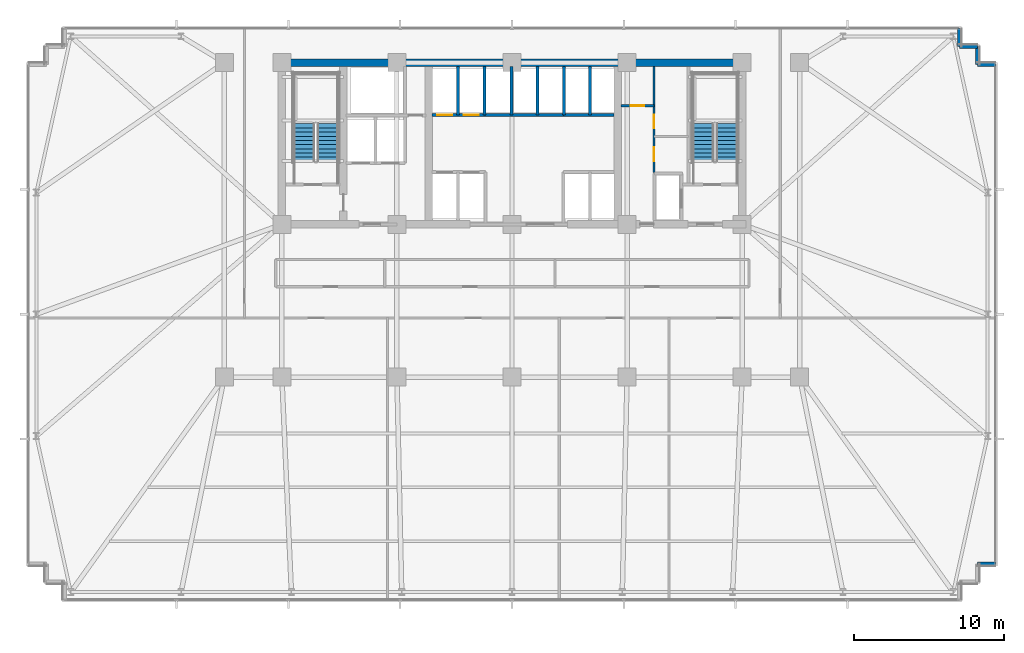
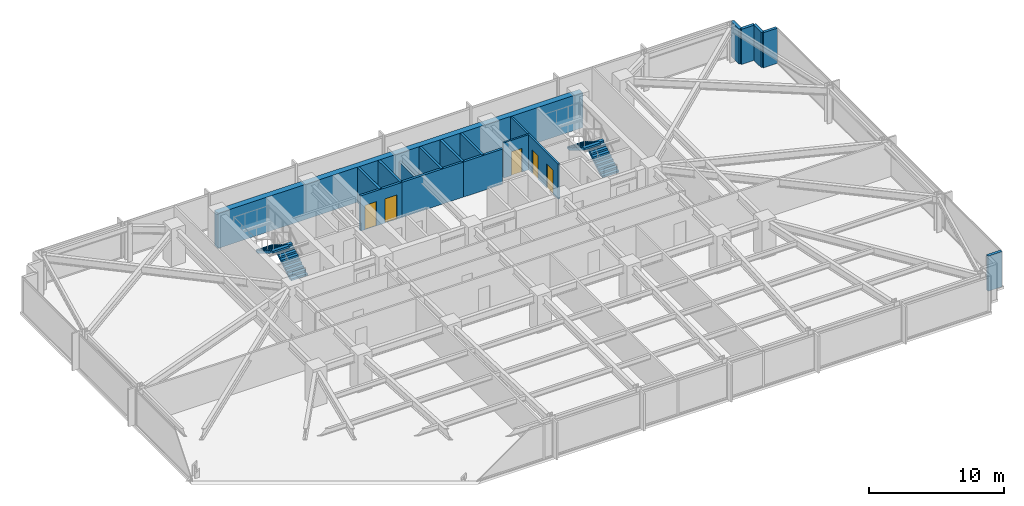
# One storey, part 26 of 32: 17 walls, 5 doors, 4 stair flights, 5 openings, 2 elements without a shape of their own.
"""IFC4 building model written with IfcOpenShell, lengths in metres."""

from ifc_helpers import new_model, si_unit, direction, frame, frame_2d, origin, place, context, subcontext, project, spatial, polyline, rectangle, outline, extrude, material, layer, layer_set, type_object, element, fill, aggregate, save


model = new_model("IFC4")

# Units and contexts
model_context = context("Model", 3, precision=1e-05, world=origin(), true_north=direction((0.0, 1.0)))
body_context = subcontext(model_context, "Body", "Model", "MODEL_VIEW")
ifc_project = project(units=[si_unit("LENGTHUNIT", "METRE"), si_unit("AREAUNIT", "SQUARE_METRE"), si_unit("VOLUMEUNIT", "CUBIC_METRE"), si_unit("PLANEANGLEUNIT", "RADIAN"), si_unit("MASSUNIT", "GRAM", prefix="KILO")], contexts=[model_context])

# Site, building, storey
site_placement = place(None, origin())
site = spatial("IfcSite", under=ifc_project, at=site_placement, CompositionType="ELEMENT")
building_placement = place(site_placement, origin())
building = spatial("IfcBuilding", under=site, at=building_placement, Name="Yelkora Congress Tower", CompositionType="ELEMENT")
storey_placement = place(building_placement, frame((0.0, 0.0, 67.800048828125)))
storey = spatial("IfcBuildingStorey", under=building, at=storey_placement, Name="L17", CompositionType="ELEMENT", Elevation=67.800048828125)

# Walls
ifc_material_1 = material(Name="Concrete C60/75", Category="concrete")
ifc_layer_1 = layer(ifc_material_1, 0.5)
ifc_layer_set_1 = layer_set([ifc_layer_1], Name="Concrete C60/75")
wall_type_1 = type_object("IfcWallType", Name="WALL-CORE-INT-500", PredefinedType="SHEAR", material=ifc_layer_set_1)
wall_1_placement = place(storey_placement, frame((22.7900390625, 46.199951171875, 0.0), z_axis=(0.0, 0.0, 1.0), x_axis=(1.0, 0.0, 0.0)))
element("IfcWall", 1, at=wall_1_placement, inside=storey, type_object=wall_type_1, Name="L17 Rear Core North Shear Wall", PredefinedType="SHEAR", context=body_context, shape_type="SweptSolid", body=[
    extrude(rectangle(XDim=31.219970703125, YDim=0.5, at=frame_2d((15.60986328125, 0.0))), origin(), (0.0, 0.0, 1.0), 3.179931640625),
])
ifc_material_2 = material(Name="Concrete C40/50", Category="concrete")
ifc_layer_2 = layer(ifc_material_2, 0.239990234375)
ifc_layer_set_2 = layer_set([ifc_layer_2], Name="Concrete C40/50")
wall_type_2 = type_object("IfcWallType", Name="WALL-EXT-LIMESTONE-240", PredefinedType="SOLIDWALL", material=ifc_layer_set_2)
for number, where, z_axis, x_axis, name in (
    (2, (68.260009765625, 48.4599609375, 0.0), (0.0, 0.0, 1.0), (0.0, -1.0, 0.0), "L17 Serrated Corner Limestone Pier 11"),
    (3, (68.260009765625, 47.260009765625, 0.0), (0.0, 0.0, 1.0), (1.0, 0.0, 0.0), "L17 Serrated Corner Limestone Pier 12"),
    (4, (69.4599609375, 47.260009765625, 0.0), (0.0, 0.0, 1.0), (0.0, -1.0, 0.0), "L17 Serrated Corner Limestone Pier 13"),
    (5, (69.4599609375, 46.06005859375, 0.0), (0.0, 0.0, 1.0), (1.0, 0.0, 0.0), "L17 Serrated Corner Limestone Pier 14"),
    (6, (70.659912109375, 12.739990234375, 0.0), (0.0, 0.0, 1.0), (-1.0, 0.0, 0.0), "L17 Serrated Corner Limestone Pier 16"),
):
    element("IfcWall", number, at=place(storey_placement, frame(where, z_axis=z_axis, x_axis=x_axis)), inside=storey, type_object=wall_type_2, Name=name, PredefinedType="SOLIDWALL", context=body_context, shape_type="SweptSolid", body=[
        extrude(rectangle(XDim=1.199951171875, YDim=0.239990234375, at=frame_2d((0.60009765625, 0.0))), origin(), (0.0, 0.0, 1.0), 3.179931640625),
    ])

# Wall, opening, door
ifc_material_3 = material(Name="Acoustic metal-stud gypsum partition", Category="gypsum")
ifc_layer_3 = layer(ifc_material_3, 0.14990234375)
ifc_layer_set_3 = layer_set([ifc_layer_3], Name="Acoustic metal-stud gypsum partition")
wall_type_3 = type_object("IfcWallType", Name="WALL-INT-150-NR", PredefinedType="PARTITIONING", material=ifc_layer_set_3)
wall_2_placement = place(storey_placement, frame((45.679931640625, 43.31005859375, 0.0), z_axis=(0.0, 0.0, 1.0), x_axis=(1.0, 0.0, 0.0)))
wall_2 = element("IfcWall", 7, at=wall_2_placement, inside=storey, type_object=wall_type_3, Name="L17 Partition Wall 28", PredefinedType="PARTITIONING", context=body_context, shape_type="SweptSolid", body=[
    extrude(rectangle(XDim=2.199951171875, YDim=0.14990234375, at=frame_2d((1.10009765625, 0.0))), origin(), (0.0, 0.0, 1.0), 3.179931640625),
])
opening_1_placement = place(wall_2_placement, frame((0.64990234375, 0.0, 0.0)))
opening_1 = element("IfcOpeningElement", 8, at=opening_1_placement, cuts=wall_2, Name="Opening DR-090N", PredefinedType="OPENING", context=body_context, shape_type="SweptSolid", body=[
    extrude(rectangle(XDim=0.89990234375, YDim=2.14990234375, at=frame_2d((0.449951171875, 1.074951171875))), frame((0.0, 0.0849609375, 0.0), z_axis=(0.0, -1.0, 0.0), x_axis=(1.0, 0.0, 0.0)), (0.0, 0.0, 1.0), 0.169921875),
])
ifc_material_4 = material(Name="Moisture-resistant laminate door leaf", Category="wood")
door_type_1 = type_object("IfcDoorType", Name="DOOR-INT-900", OperationType="NOTDEFINED", PredefinedType="DOOR", material=ifc_material_4)
door_1_placement = place(opening_1_placement, origin())
door_1 = element("IfcDoor", 9, at=door_1_placement, inside=storey, type_object=door_type_1, Name="L17 Male WC Door", OperationType="SINGLE_SWING_RIGHT", OverallHeight=2.14990234375, OverallWidth=0.89990234375, PredefinedType="DOOR", context=body_context, shape_type="SweptSolid", body=[
    extrude(rectangle(XDim=0.89990234375, YDim=2.14990234375, at=frame_2d((0.449951171875, 1.074951171875))), frame((0.0, 0.02490234375, 0.0), z_axis=(0.0, -1.0, 0.0), x_axis=(1.0, 0.0, 0.0)), (0.0, 0.0, 1.0), 0.050048828125),
])
fill(opening_1, door_1)

# Wall, openings, doors
wall_3_placement = place(storey_placement, frame((47.8798828125, 38.85009765625, 0.0), z_axis=(0.0, 0.0, 1.0), x_axis=(0.0, 1.0, 0.0)))
wall_3 = element("IfcWall", 10, at=wall_3_placement, inside=storey, type_object=wall_type_3, Name="L17 Partition Wall 30", PredefinedType="PARTITIONING", context=body_context, shape_type="SweptSolid", body=[
    extrude(rectangle(XDim=7.06982421875, YDim=0.14990234375, at=frame_2d((3.534912109375, 0.0))), origin(), (0.0, 0.0, 1.0), 3.179931640625),
])
opening_2_placement = place(wall_3_placement, frame((0.75, 0.0, 0.0)))
opening_2 = element("IfcOpeningElement", 11, at=opening_2_placement, cuts=wall_3, Name="Opening DR-095N", PredefinedType="OPENING", context=body_context, shape_type="SweptSolid", body=[
    extrude(rectangle(XDim=0.949951171875, YDim=2.14990234375, at=frame_2d((0.47509765625, 1.074951171875))), frame((0.0, 0.0849609375, 0.0), z_axis=(0.0, -1.0, 0.0), x_axis=(1.0, 0.0, 0.0)), (0.0, 0.0, 1.0), 0.169921875),
])
opening_3_placement = place(wall_3_placement, frame((2.949951171875, 0.0, 0.0)))
opening_3 = element("IfcOpeningElement", 12, at=opening_3_placement, cuts=wall_3, Name="Opening DR-090N", PredefinedType="OPENING", context=body_context, shape_type="SweptSolid", body=[
    extrude(rectangle(XDim=0.89990234375, YDim=2.14990234375, at=frame_2d((0.449951171875, 1.074951171875))), frame((0.0, 0.0849609375, 0.0), z_axis=(0.0, -1.0, 0.0), x_axis=(1.0, 0.0, 0.0)), (0.0, 0.0, 1.0), 0.169921875),
])
door_2_placement = place(opening_3_placement, origin())
door_2 = element("IfcDoor", 13, at=door_2_placement, inside=storey, type_object=door_type_1, Name="L17 Female WC Door", OperationType="SINGLE_SWING_RIGHT", OverallHeight=2.14990234375, OverallWidth=0.89990234375, PredefinedType="DOOR", context=body_context, shape_type="SweptSolid", body=[
    extrude(rectangle(XDim=0.89990234375, YDim=2.14990234375, at=frame_2d((0.449951171875, 1.074951171875))), frame((0.0, 0.02490234375, 0.0), z_axis=(0.0, -1.0, 0.0), x_axis=(1.0, 0.0, 0.0)), (0.0, 0.0, 1.0), 0.050048828125),
])
fill(opening_3, door_2)
ifc_material_5 = material(Name="Acoustic laminated timber office door", Category="wood")
door_type_2 = type_object("IfcDoorType", Name="DOOR-INT-950", OperationType="NOTDEFINED", PredefinedType="DOOR", material=ifc_material_5)
door_3_placement = place(opening_2_placement, origin())
door_3 = element("IfcDoor", 14, at=door_3_placement, inside=storey, type_object=door_type_2, Name="L17 Accessible WC Door", OperationType="SINGLE_SWING_LEFT", OverallHeight=2.14990234375, OverallWidth=0.949951171875, PredefinedType="DOOR", context=body_context, shape_type="SweptSolid", body=[
    extrude(rectangle(XDim=0.949951171875, YDim=2.14990234375, at=frame_2d((0.47509765625, 1.074951171875))), frame((0.0, 0.02490234375, 0.0), z_axis=(0.0, -1.0, 0.0), x_axis=(1.0, 0.0, 0.0)), (0.0, 0.0, 1.0), 0.050048828125),
])
fill(opening_2, door_3)

# Walls
ifc_material_6 = material(Name="Autoclaved aerated concrete blockwork", Category="masonry")
ifc_layer_4 = layer(ifc_material_6, 0.199951171875)
ifc_layer_set_4 = layer_set([ifc_layer_4], Name="Autoclaved aerated concrete blockwork")
wall_type_4 = type_object("IfcWallType", Name="WALL-INT-200-R120", PredefinedType="PARTITIONING", material=ifc_layer_set_4)
wall_4_placement = place(storey_placement, frame((36.60009765625, 42.699951171875, 0.0), z_axis=(0.0, 0.0, 1.0), x_axis=(1.0, 0.0, 0.0)))
element("IfcWall", 15, at=wall_4_placement, inside=storey, type_object=wall_type_4, Name="L17 Partition Wall 8", PredefinedType="PARTITIONING", context=body_context, shape_type="SweptSolid", body=[
    extrude(rectangle(XDim=5.25, YDim=0.199951171875, at=frame_2d((2.625, 0.0))), origin(), (0.0, 0.0, 1.0), 3.179931640625),
])
wall_5_placement = place(storey_placement, frame((38.35009765625, 42.699951171875, 0.0), z_axis=(0.0, 0.0, 1.0), x_axis=(0.0, 1.0, 0.0)))
element("IfcWall", 16, at=wall_5_placement, inside=storey, type_object=wall_type_4, Name="L17 Partition Wall 9", PredefinedType="PARTITIONING", context=body_context, shape_type="SweptSolid", body=[
    extrude(rectangle(XDim=3.219970703125, YDim=0.199951171875, at=frame_2d((1.60986328125, 0.0))), origin(), (0.0, 0.0, 1.0), 2.474853515625),
])
wall_6_placement = place(storey_placement, frame((40.10009765625, 42.699951171875, 0.0), z_axis=(0.0, 0.0, 1.0), x_axis=(0.0, 1.0, 0.0)))
element("IfcWall", 17, at=wall_6_placement, inside=storey, type_object=wall_type_4, Name="L17 Partition Wall 10", PredefinedType="PARTITIONING", context=body_context, shape_type="SweptSolid", body=[
    extrude(rectangle(XDim=3.219970703125, YDim=0.199951171875, at=frame_2d((1.60986328125, 0.0))), origin(), (0.0, 0.0, 1.0), 3.179931640625),
])

# Wall, openings, doors
wall_7_placement = place(storey_placement, frame((33.050048828125, 42.699951171875, 0.0), z_axis=(0.0, 0.0, 1.0), x_axis=(1.0, 0.0, 0.0)))
wall_7 = element("IfcWall", 18, at=wall_7_placement, inside=storey, type_object=wall_type_4, Name="L17 Partition Wall 12", PredefinedType="PARTITIONING", context=body_context, shape_type="SweptSolid", body=[
    extrude(rectangle(XDim=3.570068359375, YDim=0.199951171875, at=frame_2d((1.78515625, 0.0))), origin(), (0.0, 0.0, 1.0), 3.179931640625),
])
opening_4_placement = place(wall_7_placement, frame((0.375, 0.0, 0.0)))
opening_4 = element("IfcOpeningElement", 19, at=opening_4_placement, cuts=wall_7, Name="Opening LD-PS10", PredefinedType="OPENING", context=body_context, shape_type="SweptSolid", body=[
    extrude(rectangle(XDim=1.0, YDim=2.199951171875, at=frame_2d((0.5, 1.10009765625))), frame((0.0, 0.10986328125, 0.0), z_axis=(0.0, -1.0, 0.0), x_axis=(1.0, 0.0, 0.0)), (0.0, 0.0, 1.0), 0.219970703125),
])
opening_5_placement = place(wall_7_placement, frame((2.125, 0.0, 0.0)))
opening_5 = element("IfcOpeningElement", 20, at=opening_5_placement, cuts=wall_7, Name="Opening LD-PS10", PredefinedType="OPENING", context=body_context, shape_type="SweptSolid", body=[
    extrude(rectangle(XDim=1.0, YDim=2.199951171875, at=frame_2d((0.5, 1.10009765625))), frame((0.0, 0.10986328125, 0.0), z_axis=(0.0, -1.0, 0.0), x_axis=(1.0, 0.0, 0.0)), (0.0, 0.0, 1.0), 0.219970703125),
])
ifc_material_7 = material(Name="Champagne stainless steel landing door", Category="steel")
door_type_3 = type_object("IfcDoorType", Name="DOOR-LIFT-PAS-1000", OperationType="DOUBLE_DOOR_SLIDING", PredefinedType="DOOR", material=ifc_material_7)
door_4_placement = place(opening_4_placement, origin())
door_4 = element("IfcDoor", 21, at=door_4_placement, inside=storey, type_object=door_type_3, Name="Lift Landing Door LF-P3 L17", OperationType="DOUBLE_DOOR_SLIDING", OverallHeight=2.199951171875, OverallWidth=1.0, PredefinedType="DOOR", context=body_context, shape_type="SweptSolid", body=[
    extrude(rectangle(XDim=1.0, YDim=2.199951171875, at=frame_2d((0.5, 1.10009765625))), frame((0.0, 0.02490234375, 0.0), z_axis=(0.0, -1.0, 0.0), x_axis=(1.0, 0.0, 0.0)), (0.0, 0.0, 1.0), 0.050048828125),
])
fill(opening_4, door_4)
door_5_placement = place(opening_5_placement, origin())
door_5 = element("IfcDoor", 22, at=door_5_placement, inside=storey, type_object=door_type_3, Name="Lift Landing Door LF-P4 L17", OperationType="DOUBLE_DOOR_SLIDING", OverallHeight=2.199951171875, OverallWidth=1.0, PredefinedType="DOOR", context=body_context, shape_type="SweptSolid", body=[
    extrude(rectangle(XDim=1.0, YDim=2.199951171875, at=frame_2d((0.5, 1.10009765625))), frame((0.0, 0.02490234375, 0.0), z_axis=(0.0, -1.0, 0.0), x_axis=(1.0, 0.0, 0.0)), (0.0, 0.0, 1.0), 0.050048828125),
])
fill(opening_5, door_5)

# Walls
for number, where, z_axis, x_axis, name in (
    (23, (34.800048828125, 42.699951171875, 0.0), (0.0, 0.0, 1.0), (0.0, 1.0, 0.0), "L17 Partition Wall 14"),
    (24, (36.580078125, 42.699951171875, 0.0), (0.0, 0.0, 1.0), (0.0, 1.0, 0.0), "L17 Partition Wall 16"),
):
    element("IfcWall", number, at=place(storey_placement, frame(where, z_axis=z_axis, x_axis=x_axis)), inside=storey, type_object=wall_type_4, Name=name, PredefinedType="PARTITIONING", context=body_context, shape_type="SweptSolid", body=[
        extrude(rectangle(XDim=3.219970703125, YDim=0.199951171875, at=frame_2d((1.60986328125, 0.0))), origin(), (0.0, 0.0, 1.0), 3.179931640625),
    ])
wall_8_placement = place(storey_placement, frame((41.85009765625, 42.699951171875, 0.0), z_axis=(0.0, 0.0, 1.0), x_axis=(1.0, 0.0, 0.0)))
element("IfcWall", 25, at=wall_8_placement, inside=storey, type_object=wall_type_4, Name="L17 Partition Wall 18", PredefinedType="PARTITIONING", context=body_context, shape_type="SweptSolid", body=[
    extrude(rectangle(XDim=3.369873046875, YDim=0.199951171875, at=frame_2d((1.68505859375, 0.0))), origin(), (0.0, 0.0, 1.0), 3.179931640625),
])
for number, where, z_axis, x_axis, name in (
    (26, (43.60009765625, 42.699951171875, 0.0), (0.0, 0.0, 1.0), (0.0, 1.0, 0.0), "L17 Partition Wall 20"),
    (27, (41.8798828125, 42.699951171875, 0.0), (0.0, 0.0, 1.0), (0.0, 1.0, 0.0), "L17 Partition Wall 22"),
):
    element("IfcWall", number, at=place(storey_placement, frame(where, z_axis=z_axis, x_axis=x_axis)), inside=storey, type_object=wall_type_4, Name=name, PredefinedType="PARTITIONING", context=body_context, shape_type="SweptSolid", body=[
        extrude(rectangle(XDim=3.219970703125, YDim=0.199951171875, at=frame_2d((1.60986328125, 0.0))), origin(), (0.0, 0.0, 1.0), 3.179931640625),
    ])

# Stair, stair flights
stair_type = type_object("IfcStairType", Name="STAIR-HT-1420-R20-170", PredefinedType="HALF_TURN_STAIR", material=ifc_material_2)
stair_1_placement = place(storey_placement, origin())
stair_1 = element("IfcStair", 28, at=stair_1_placement, inside=storey, type_object=stair_type, Name="West Core Protected Exit Stair ST-01 (L17)", PredefinedType="HALF_TURN_STAIR")
stair_flight_type = type_object("IfcStairFlightType", Name="FLIGHT-1420-N10-R170-G280", PredefinedType="STRAIGHT", material=ifc_material_2)
stair_flight_1_placement = place(storey_placement, frame((26.110107421875, 39.60009765625, 0.0), z_axis=(0.0, 0.0, 1.0), x_axis=(0.0, 1.0, 0.0)))
stair_flight_1 = element("IfcStairFlight", 29, at=stair_flight_1_placement, type_object=stair_flight_type, Name="ST-01 L17 Flight 1", NumberOfRisers=10, NumberOfTreads=9, PredefinedType="STRAIGHT", RiserHeight=0.17, TreadLength=0.28, context=body_context, shape_type="SweptSolid", body=[
    extrude(outline(polyline([(0.0, 0.0), (0.0, 0.169921875), (0.280029296875, 0.169921875), (0.280029296875, 0.340087890625), (0.56005859375, 0.340087890625), (0.56005859375, 0.510009765625), (0.840087890625, 0.510009765625), (0.840087890625, 0.679931640625), (1.1201171875, 0.679931640625), (1.1201171875, 0.85009765625), (1.39990234375, 0.85009765625), (1.39990234375, 1.02001953125), (1.679931640625, 1.02001953125), (1.679931640625, 1.18994140625), (1.9599609375, 1.18994140625), (1.9599609375, 1.360107421875), (2.239990234375, 1.360107421875), (2.239990234375, 1.530029296875), (2.52001953125, 1.530029296875), (2.52001953125, 1.699951171875), (2.52001953125, 1.343017578125), (0.30810546875, 0.0), (0.0, 0.0)])), frame((0.0, 0.7099609375, 0.0), z_axis=(0.0, -1.0, 0.0), x_axis=(1.0, 0.0, 0.0)), (0.0, 0.0, 1.0), 1.419921875),
])
stair_flight_2_placement = place(storey_placement, frame((24.530029296875, 42.1201171875, 1.699951171875), z_axis=(0.0, 0.0, 1.0), x_axis=(0.0, -1.0, 0.0)))
stair_flight_2 = element("IfcStairFlight", 30, at=stair_flight_2_placement, type_object=stair_flight_type, Name="ST-01 L17 Flight 2", NumberOfRisers=10, NumberOfTreads=9, PredefinedType="STRAIGHT", RiserHeight=0.17, TreadLength=0.28, context=body_context, shape_type="SweptSolid", body=[
    extrude(outline(polyline([(0.0, 0.0), (0.0, 0.169921875), (0.280029296875, 0.169921875), (0.280029296875, 0.340087890625), (0.56005859375, 0.340087890625), (0.56005859375, 0.510009765625), (0.840087890625, 0.510009765625), (0.840087890625, 0.679931640625), (1.1201171875, 0.679931640625), (1.1201171875, 0.85009765625), (1.39990234375, 0.85009765625), (1.39990234375, 1.02001953125), (1.679931640625, 1.02001953125), (1.679931640625, 1.18994140625), (1.9599609375, 1.18994140625), (1.9599609375, 1.360107421875), (2.239990234375, 1.360107421875), (2.239990234375, 1.530029296875), (2.52001953125, 1.530029296875), (2.52001953125, 1.699951171875), (2.52001953125, 1.343017578125), (0.30810546875, 0.0), (0.0, 0.0)])), frame((0.0, 0.7099609375, 0.0), z_axis=(0.0, -1.0, 0.0), x_axis=(1.0, 0.0, 0.0)), (0.0, 0.0, 1.0), 1.419921875),
])
aggregate(stair_1, [stair_flight_1, stair_flight_2])

stair_2_placement = place(storey_placement, origin())
stair_2 = element("IfcStair", 31, at=stair_2_placement, inside=storey, type_object=stair_type, Name="East Core Protected Exit Stair ST-02 (L17)", PredefinedType="HALF_TURN_STAIR")
stair_flight_3_placement = place(storey_placement, frame((52.75, 39.60009765625, 0.0), z_axis=(0.0, 0.0, 1.0), x_axis=(0.0, 1.0, 0.0)))
stair_flight_3 = element("IfcStairFlight", 32, at=stair_flight_3_placement, type_object=stair_flight_type, Name="ST-02 L17 Flight 1", NumberOfRisers=10, NumberOfTreads=9, PredefinedType="STRAIGHT", RiserHeight=0.17, TreadLength=0.28, context=body_context, shape_type="SweptSolid", body=[
    extrude(outline(polyline([(0.0, 0.0), (0.0, 0.169921875), (0.280029296875, 0.169921875), (0.280029296875, 0.340087890625), (0.56005859375, 0.340087890625), (0.56005859375, 0.510009765625), (0.840087890625, 0.510009765625), (0.840087890625, 0.679931640625), (1.1201171875, 0.679931640625), (1.1201171875, 0.85009765625), (1.39990234375, 0.85009765625), (1.39990234375, 1.02001953125), (1.679931640625, 1.02001953125), (1.679931640625, 1.18994140625), (1.9599609375, 1.18994140625), (1.9599609375, 1.360107421875), (2.239990234375, 1.360107421875), (2.239990234375, 1.530029296875), (2.52001953125, 1.530029296875), (2.52001953125, 1.699951171875), (2.52001953125, 1.343017578125), (0.30810546875, 0.0), (0.0, 0.0)])), frame((0.0, 0.7099609375, 0.0), z_axis=(0.0, -1.0, 0.0), x_axis=(1.0, 0.0, 0.0)), (0.0, 0.0, 1.0), 1.419921875),
])
stair_flight_4_placement = place(storey_placement, frame((51.169921875, 42.1201171875, 1.699951171875), z_axis=(0.0, 0.0, 1.0), x_axis=(0.0, -1.0, 0.0)))
stair_flight_4 = element("IfcStairFlight", 33, at=stair_flight_4_placement, type_object=stair_flight_type, Name="ST-02 L17 Flight 2", NumberOfRisers=10, NumberOfTreads=9, PredefinedType="STRAIGHT", RiserHeight=0.17, TreadLength=0.28, context=body_context, shape_type="SweptSolid", body=[
    extrude(outline(polyline([(0.0, 0.0), (0.0, 0.169921875), (0.280029296875, 0.169921875), (0.280029296875, 0.340087890625), (0.56005859375, 0.340087890625), (0.56005859375, 0.510009765625), (0.840087890625, 0.510009765625), (0.840087890625, 0.679931640625), (1.1201171875, 0.679931640625), (1.1201171875, 0.85009765625), (1.39990234375, 0.85009765625), (1.39990234375, 1.02001953125), (1.679931640625, 1.02001953125), (1.679931640625, 1.18994140625), (1.9599609375, 1.18994140625), (1.9599609375, 1.360107421875), (2.239990234375, 1.360107421875), (2.239990234375, 1.530029296875), (2.52001953125, 1.530029296875), (2.52001953125, 1.699951171875), (2.52001953125, 1.343017578125), (0.30810546875, 0.0), (0.0, 0.0)])), frame((0.0, 0.7099609375, 0.0), z_axis=(0.0, -1.0, 0.0), x_axis=(1.0, 0.0, 0.0)), (0.0, 0.0, 1.0), 1.419921875),
])
aggregate(stair_2, [stair_flight_3, stair_flight_4])

save(model, "model.ifc")
